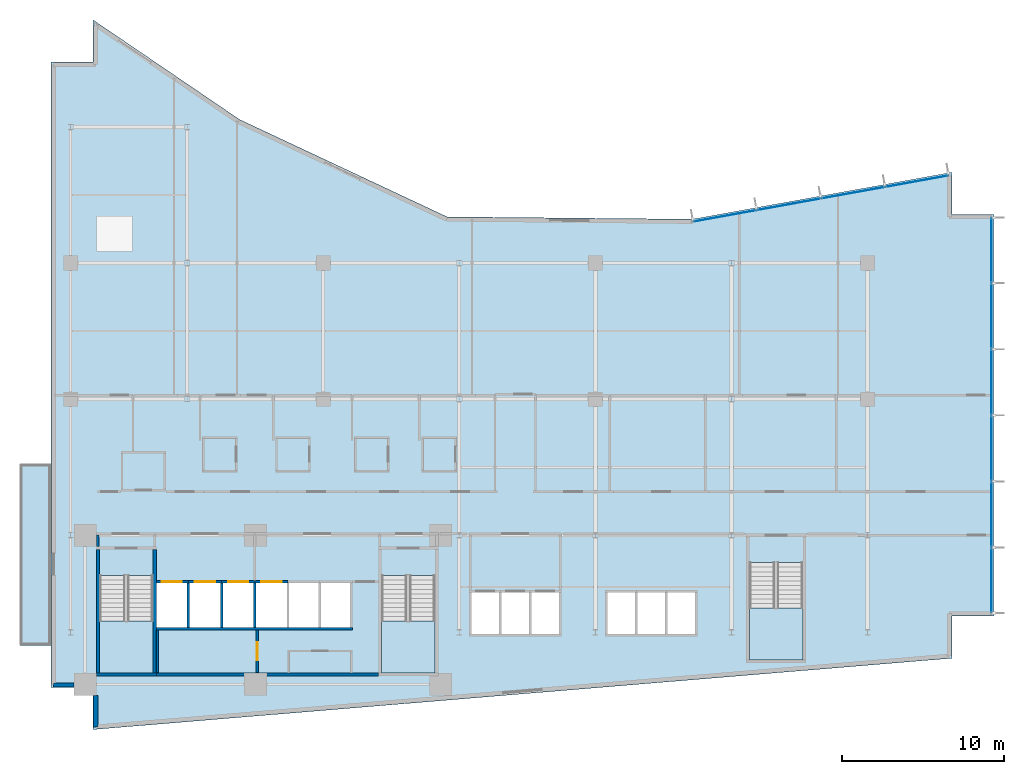
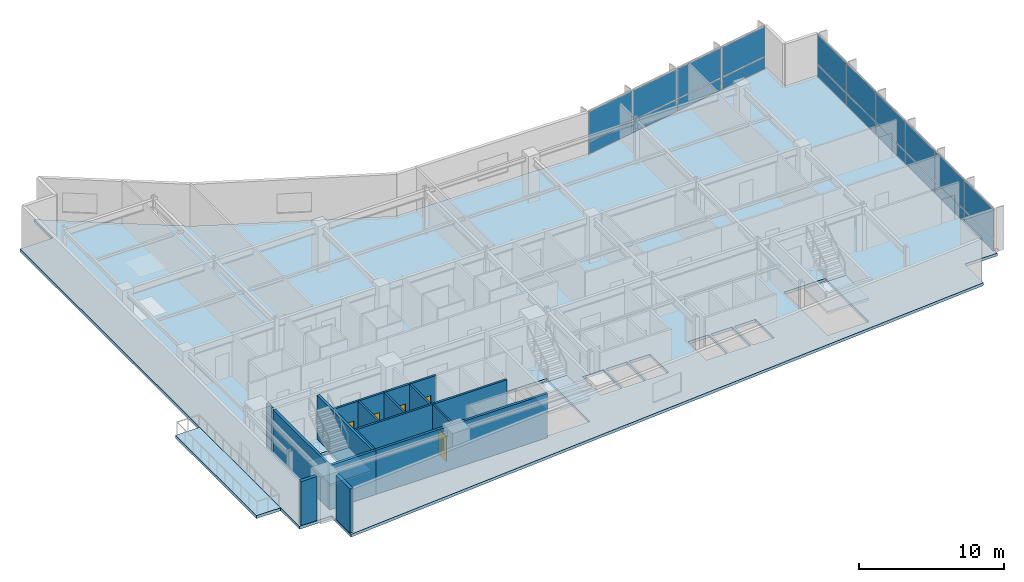
# One storey, part 12 of 21: 20 plates, 17 walls, 5 doors, 5 slabs, 5 openings, 5 elements without a shape of their own.
"""IFC4 building model written with IfcOpenShell, lengths in metres."""

from ifc_helpers import new_model, si_unit, direction, frame, frame_2d, origin, origin_2d, place, context, subcontext, project, spatial, polyline, rectangle, outline, extrude, material, layer, layer_set, type_object, element, fill, aggregate, save


model = new_model("IFC4")

# Units and contexts
model_context = context("Model", 3, precision=1e-05, world=origin(), true_north=direction((0.0, 1.0)))
body_context = subcontext(model_context, "Body", "Model", "MODEL_VIEW")
ifc_project = project(units=[si_unit("LENGTHUNIT", "METRE"), si_unit("AREAUNIT", "SQUARE_METRE"), si_unit("VOLUMEUNIT", "CUBIC_METRE"), si_unit("PLANEANGLEUNIT", "RADIAN"), si_unit("MASSUNIT", "GRAM", prefix="KILO")], contexts=[model_context])

# Site, building, storey
site_placement = place(None, origin())
site = spatial("IfcSite", under=ifc_project, at=site_placement, CompositionType="ELEMENT")
building_placement = place(site_placement, origin())
building = spatial("IfcBuilding", under=site, at=building_placement, Name="Varnakote Quay Hospital", CompositionType="ELEMENT")
storey_placement = place(building_placement, frame((0.0, 0.0, 77.800048828125)))
storey = spatial("IfcBuildingStorey", under=building, at=storey_placement, Name="L19", CompositionType="ELEMENT", Elevation=77.800048828125)

# Curtain wall, plates
ifc_material_1 = material(Name="Anodised aluminium 6063-T6 Bronze", Category="aluminium")
ifc_layer_1 = layer(ifc_material_1, 0.18994140625)
ifc_layer_set_1 = layer_set([ifc_layer_1], Name="Anodised aluminium 6063-T6 Bronze")
curtain_wall_type = type_object("IfcCurtainWallType", Name="CW-SYS-2", PredefinedType="NOTDEFINED", material=ifc_layer_set_1)
curtain_wall_1_placement = place(storey_placement, origin())
curtain_wall_1 = element("IfcCurtainWall", 1, at=curtain_wall_1_placement, inside=storey, type_object=curtain_wall_type, Name="L19 Unitised Bronze Curtain Wall 1", PredefinedType="NOTDEFINED")
ifc_material_2 = material(Name="Double-glazed acoustic laminated glass", Category="glass")
ifc_layer_2 = layer(ifc_material_2, 0.031982421875)
ifc_layer_set_2 = layer_set([ifc_layer_2], Name="Double-glazed acoustic laminated glass")
plate_type = type_object("IfcPlateType", Name="CW-PNL-GLZ-32", PredefinedType="CURTAIN_PANEL", material=ifc_layer_set_2)
plate_1_placement = place(storey_placement, frame((58.0400390625, 9.21875, 0.07470703125), z_axis=(0.0, 0.0, 1.0), x_axis=(0.0, 1.0, 0.0)))
plate_1 = element("IfcPlate", 2, at=plate_1_placement, type_object=plate_type, Name="-2-L19-1 panel 1.1", PredefinedType="CURTAIN_PANEL", context=body_context, shape_type="SweptSolid", body=[
    extrude(rectangle(XDim=3.967529296875, YDim=0.031982421875, at=origin_2d()), origin(), (0.0, 0.0, 1.0), 0.987548828125),
])
plate_2_placement = place(storey_placement, frame((58.0400390625, 9.21875, 1.137451171875), z_axis=(0.0, 0.0, 1.0), x_axis=(0.0, 1.0, 0.0)))
plate_2 = element("IfcPlate", 3, at=plate_2_placement, type_object=plate_type, Name="-2-L19-1 panel 1.2", PredefinedType="CURTAIN_PANEL", context=body_context, shape_type="SweptSolid", body=[
    extrude(rectangle(XDim=3.967529296875, YDim=0.031982421875, at=origin_2d()), origin(), (0.0, 0.0, 1.0), 2.49755859375),
])
plate_3_placement = place(storey_placement, frame((58.0400390625, 13.280029296875, 0.07470703125), z_axis=(0.0, 0.0, 1.0), x_axis=(0.0, 1.0, 0.0)))
plate_3 = element("IfcPlate", 4, at=plate_3_placement, type_object=plate_type, Name="-2-L19-1 panel 2.1", PredefinedType="CURTAIN_PANEL", context=body_context, shape_type="SweptSolid", body=[
    extrude(rectangle(XDim=4.0048828125, YDim=0.031982421875, at=origin_2d()), origin(), (0.0, 0.0, 1.0), 0.987548828125),
])
plate_4_placement = place(storey_placement, frame((58.0400390625, 13.280029296875, 1.137451171875), z_axis=(0.0, 0.0, 1.0), x_axis=(0.0, 1.0, 0.0)))
plate_4 = element("IfcPlate", 5, at=plate_4_placement, type_object=plate_type, Name="-2-L19-1 panel 2.2", PredefinedType="CURTAIN_PANEL", context=body_context, shape_type="SweptSolid", body=[
    extrude(rectangle(XDim=4.0048828125, YDim=0.031982421875, at=origin_2d()), origin(), (0.0, 0.0, 1.0), 2.49755859375),
])
plate_5_placement = place(storey_placement, frame((58.0400390625, 17.360107421875, 0.07470703125), z_axis=(0.0, 0.0, 1.0), x_axis=(0.0, 1.0, 0.0)))
plate_5 = element("IfcPlate", 6, at=plate_5_placement, type_object=plate_type, Name="-2-L19-1 panel 3.1", PredefinedType="CURTAIN_PANEL", context=body_context, shape_type="SweptSolid", body=[
    extrude(rectangle(XDim=4.0048828125, YDim=0.031982421875, at=origin_2d()), origin(), (0.0, 0.0, 1.0), 0.987548828125),
])
plate_6_placement = place(storey_placement, frame((58.0400390625, 17.360107421875, 1.137451171875), z_axis=(0.0, 0.0, 1.0), x_axis=(0.0, 1.0, 0.0)))
plate_6 = element("IfcPlate", 7, at=plate_6_placement, type_object=plate_type, Name="-2-L19-1 panel 3.2", PredefinedType="CURTAIN_PANEL", context=body_context, shape_type="SweptSolid", body=[
    extrude(rectangle(XDim=4.0048828125, YDim=0.031982421875, at=origin_2d()), origin(), (0.0, 0.0, 1.0), 2.49755859375),
])
plate_7_placement = place(storey_placement, frame((58.0400390625, 21.43994140625, 0.07470703125), z_axis=(0.0, 0.0, 1.0), x_axis=(0.0, 1.0, 0.0)))
plate_7 = element("IfcPlate", 8, at=plate_7_placement, type_object=plate_type, Name="-2-L19-1 panel 4.1", PredefinedType="CURTAIN_PANEL", context=body_context, shape_type="SweptSolid", body=[
    extrude(rectangle(XDim=4.0048828125, YDim=0.031982421875, at=origin_2d()), origin(), (0.0, 0.0, 1.0), 0.987548828125),
])
plate_8_placement = place(storey_placement, frame((58.0400390625, 21.43994140625, 1.137451171875), z_axis=(0.0, 0.0, 1.0), x_axis=(0.0, 1.0, 0.0)))
plate_8 = element("IfcPlate", 9, at=plate_8_placement, type_object=plate_type, Name="-2-L19-1 panel 4.2", PredefinedType="CURTAIN_PANEL", context=body_context, shape_type="SweptSolid", body=[
    extrude(rectangle(XDim=4.0048828125, YDim=0.031982421875, at=origin_2d()), origin(), (0.0, 0.0, 1.0), 2.49755859375),
])
plate_9_placement = place(storey_placement, frame((58.0400390625, 25.52001953125, 0.07470703125), z_axis=(0.0, 0.0, 1.0), x_axis=(0.0, 1.0, 0.0)))
plate_9 = element("IfcPlate", 10, at=plate_9_placement, type_object=plate_type, Name="-2-L19-1 panel 5.1", PredefinedType="CURTAIN_PANEL", context=body_context, shape_type="SweptSolid", body=[
    extrude(rectangle(XDim=4.0048828125, YDim=0.031982421875, at=origin_2d()), origin(), (0.0, 0.0, 1.0), 0.987548828125),
])
plate_10_placement = place(storey_placement, frame((58.0400390625, 25.52001953125, 1.137451171875), z_axis=(0.0, 0.0, 1.0), x_axis=(0.0, 1.0, 0.0)))
plate_10 = element("IfcPlate", 11, at=plate_10_placement, type_object=plate_type, Name="-2-L19-1 panel 5.2", PredefinedType="CURTAIN_PANEL", context=body_context, shape_type="SweptSolid", body=[
    extrude(rectangle(XDim=4.0048828125, YDim=0.031982421875, at=origin_2d()), origin(), (0.0, 0.0, 1.0), 2.49755859375),
])
plate_11_placement = place(storey_placement, frame((58.0400390625, 29.581298828125, 0.07470703125), z_axis=(0.0, 0.0, 1.0), x_axis=(0.0, 1.0, 0.0)))
plate_11 = element("IfcPlate", 12, at=plate_11_placement, type_object=plate_type, Name="-2-L19-1 panel 6.1", PredefinedType="CURTAIN_PANEL", context=body_context, shape_type="SweptSolid", body=[
    extrude(rectangle(XDim=3.967529296875, YDim=0.031982421875, at=origin_2d()), origin(), (0.0, 0.0, 1.0), 0.987548828125),
])
plate_12_placement = place(storey_placement, frame((58.0400390625, 29.581298828125, 1.137451171875), z_axis=(0.0, 0.0, 1.0), x_axis=(0.0, 1.0, 0.0)))
plate_12 = element("IfcPlate", 13, at=plate_12_placement, type_object=plate_type, Name="-2-L19-1 panel 6.2", PredefinedType="CURTAIN_PANEL", context=body_context, shape_type="SweptSolid", body=[
    extrude(rectangle(XDim=3.967529296875, YDim=0.031982421875, at=origin_2d()), origin(), (0.0, 0.0, 1.0), 2.49755859375),
])
aggregate(curtain_wall_1, [plate_1, plate_2, plate_3, plate_4, plate_5, plate_6, plate_7, plate_8, plate_9, plate_10, plate_11, plate_12])

curtain_wall_2_placement = place(storey_placement, origin())
curtain_wall_2 = element("IfcCurtainWall", 14, at=curtain_wall_2_placement, inside=storey, type_object=curtain_wall_type, Name="L19 Unitised Bronze Curtain Wall 2", PredefinedType="NOTDEFINED")
plate_13_placement = place(storey_placement, frame((53.440185546875, 33.84716796875, 0.07470703125), z_axis=(0.0, 0.0, 1.0), x_axis=(-0.984058295766, -0.177846199098, 0.0)))
plate_13 = element("IfcPlate", 15, at=plate_13_placement, type_object=plate_type, Name="-2-L19-2 panel 1.1", PredefinedType="CURTAIN_PANEL", context=body_context, shape_type="SweptSolid", body=[
    extrude(rectangle(XDim=3.914306640625, YDim=0.031982421875, at=origin_2d()), origin(), (0.0, 0.0, 1.0), 0.987548828125),
])
plate_14_placement = place(storey_placement, frame((53.440185546875, 33.84716796875, 1.137451171875), z_axis=(0.0, 0.0, 1.0), x_axis=(-0.984058295766, -0.177846199098, 0.0)))
plate_14 = element("IfcPlate", 16, at=plate_14_placement, type_object=plate_type, Name="-2-L19-2 panel 1.2", PredefinedType="CURTAIN_PANEL", context=body_context, shape_type="SweptSolid", body=[
    extrude(rectangle(XDim=3.914306640625, YDim=0.031982421875, at=origin_2d()), origin(), (0.0, 0.0, 1.0), 2.49755859375),
])
plate_15_placement = place(storey_placement, frame((49.49609375, 33.13427734375, 0.07470703125), z_axis=(0.0, 0.0, 1.0), x_axis=(-0.984058295766, -0.177846199098, 0.0)))
plate_15 = element("IfcPlate", 17, at=plate_15_placement, type_object=plate_type, Name="-2-L19-2 panel 2.1", PredefinedType="CURTAIN_PANEL", context=body_context, shape_type="SweptSolid", body=[
    extrude(rectangle(XDim=3.951904296875, YDim=0.031982421875, at=origin_2d()), origin(), (0.0, 0.0, 1.0), 0.987548828125),
])
plate_16_placement = place(storey_placement, frame((49.49609375, 33.13427734375, 1.137451171875), z_axis=(0.0, 0.0, 1.0), x_axis=(-0.984058295766, -0.177846199098, 0.0)))
plate_16 = element("IfcPlate", 18, at=plate_16_placement, type_object=plate_type, Name="-2-L19-2 panel 2.2", PredefinedType="CURTAIN_PANEL", context=body_context, shape_type="SweptSolid", body=[
    extrude(rectangle(XDim=3.951904296875, YDim=0.031982421875, at=origin_2d()), origin(), (0.0, 0.0, 1.0), 2.49755859375),
])
plate_17_placement = place(storey_placement, frame((45.533447265625, 32.418212890625, 0.07470703125), z_axis=(0.0, 0.0, 1.0), x_axis=(-0.984058295766, -0.177846199098, 0.0)))
plate_17 = element("IfcPlate", 19, at=plate_17_placement, type_object=plate_type, Name="-2-L19-2 panel 3.1", PredefinedType="CURTAIN_PANEL", context=body_context, shape_type="SweptSolid", body=[
    extrude(rectangle(XDim=3.951904296875, YDim=0.031982421875, at=origin_2d()), origin(), (0.0, 0.0, 1.0), 0.987548828125),
])
plate_18_placement = place(storey_placement, frame((45.533447265625, 32.418212890625, 1.137451171875), z_axis=(0.0, 0.0, 1.0), x_axis=(-0.984058295766, -0.177846199098, 0.0)))
plate_18 = element("IfcPlate", 20, at=plate_18_placement, type_object=plate_type, Name="-2-L19-2 panel 3.2", PredefinedType="CURTAIN_PANEL", context=body_context, shape_type="SweptSolid", body=[
    extrude(rectangle(XDim=3.951904296875, YDim=0.031982421875, at=origin_2d()), origin(), (0.0, 0.0, 1.0), 2.49755859375),
])
plate_19_placement = place(storey_placement, frame((41.58935546875, 31.705322265625, 0.07470703125), z_axis=(0.0, 0.0, 1.0), x_axis=(-0.984058295766, -0.177846199098, 0.0)))
plate_19 = element("IfcPlate", 21, at=plate_19_placement, type_object=plate_type, Name="-2-L19-2 panel 4.1", PredefinedType="CURTAIN_PANEL", context=body_context, shape_type="SweptSolid", body=[
    extrude(rectangle(XDim=3.914306640625, YDim=0.031982421875, at=origin_2d()), origin(), (0.0, 0.0, 1.0), 0.987548828125),
])
plate_20_placement = place(storey_placement, frame((41.58935546875, 31.705322265625, 1.137451171875), z_axis=(0.0, 0.0, 1.0), x_axis=(-0.984058295766, -0.177846199098, 0.0)))
plate_20 = element("IfcPlate", 22, at=plate_20_placement, type_object=plate_type, Name="-2-L19-2 panel 4.2", PredefinedType="CURTAIN_PANEL", context=body_context, shape_type="SweptSolid", body=[
    extrude(rectangle(XDim=3.914306640625, YDim=0.031982421875, at=origin_2d()), origin(), (0.0, 0.0, 1.0), 2.49755859375),
])
aggregate(curtain_wall_2, [plate_13, plate_14, plate_15, plate_16, plate_17, plate_18, plate_19, plate_20])

# Stair, slab
ifc_material_3 = material(Name="Concrete N40 (f'c 40 MPa)", Category="concrete")
stair_type = type_object("IfcStairType", Name="STR-CORE-1580", PredefinedType="HALF_TURN_STAIR", material=ifc_material_3)
stair_1_placement = place(storey_placement, origin())
stair_1 = element("IfcStair", 23, at=stair_1_placement, inside=storey, type_object=stair_type, Name="L19 Fire-Isolated Exit Stair ST-01", PredefinedType="HALF_TURN_STAIR")
ifc_material_4 = material(Name="Concrete N40 (f'c 40 MPa)", Category="concrete")
ifc_layer_3 = layer(ifc_material_4, 0.199951171875)
ifc_layer_set_3 = layer_set([ifc_layer_3], Name="Concrete N40 (f'c 40 MPa)")
slab_type_1 = type_object("IfcSlabType", Name="SLB-STAIR-LND-200", PredefinedType="LANDING", material=ifc_layer_set_3)
slab_1_placement = place(storey_placement, frame((0.0, 0.0, 1.77490234375)))
slab_1 = element("IfcSlab", 24, at=slab_1_placement, type_object=slab_type_1, Name="ST-01 landing 1", PredefinedType="LANDING", context=body_context, shape_type="SweptSolid", body=[
    extrude(outline(polyline([(3.0, 6.699951171875), (3.0, 3.5), (6.300048828125, 3.5), (6.300048828125, 6.699951171875), (3.0, 6.699951171875)])), origin(), (0.0, 0.0, 1.0), 0.199951171875),
])
aggregate(stair_1, [slab_1])

stair_2_placement = place(storey_placement, origin())
stair_2 = element("IfcStair", 25, at=stair_2_placement, inside=storey, type_object=stair_type, Name="L19 Fire-Isolated Exit Stair ST-02", PredefinedType="HALF_TURN_STAIR")
slab_2_placement = place(storey_placement, frame((0.0, 0.0, 1.77490234375)))
slab_2 = element("IfcSlab", 26, at=slab_2_placement, type_object=slab_type_1, Name="ST-02 landing 1", PredefinedType="LANDING", context=body_context, shape_type="SweptSolid", body=[
    extrude(outline(polyline([(20.39990234375, 6.699951171875), (20.39990234375, 3.5), (23.699951171875, 3.5), (23.699951171875, 6.699951171875), (20.39990234375, 6.699951171875)])), origin(), (0.0, 0.0, 1.0), 0.199951171875),
])
aggregate(stair_2, [slab_2])

stair_3_placement = place(storey_placement, origin())
stair_3 = element("IfcStair", 27, at=stair_3_placement, inside=storey, type_object=stair_type, Name="L19 Fire-Isolated Exit Stair ST-03", PredefinedType="HALF_TURN_STAIR")
slab_3_placement = place(storey_placement, frame((0.0, 0.0, 1.77490234375)))
slab_3 = element("IfcSlab", 28, at=slab_3_placement, type_object=slab_type_1, Name="ST-03 landing 1", PredefinedType="LANDING", context=body_context, shape_type="SweptSolid", body=[
    extrude(outline(polyline([(43.10009765625, 7.5), (43.10009765625, 4.300048828125), (46.39990234375, 4.300048828125), (46.39990234375, 7.5), (43.10009765625, 7.5)])), origin(), (0.0, 0.0, 1.0), 0.199951171875),
])
aggregate(stair_3, [slab_3])

# Slabs
ifc_material_5 = material(Name="Concrete N50 (f'c 50 MPa)", Category="concrete")
ifc_layer_4 = layer(ifc_material_5, 0.239990234375)
ifc_layer_set_4 = layer_set([ifc_layer_4], Name="Concrete N50 (f'c 50 MPa)")
slab_type_2 = type_object("IfcSlabType", Name="SLB-TERR-200", PredefinedType="FLOOR", material=ifc_layer_set_4)
slab_4_placement = place(storey_placement, frame((0.0, 0.0, -0.239990234375)))
element("IfcSlab", 29, at=slab_4_placement, inside=storey, type_object=slab_type_2, Name="L19 Waterfront Healing Terrace Slab", PredefinedType="FLOOR", context=body_context, shape_type="SweptSolid", body=[
    extrude(outline(polyline([(0.00390625, 5.199951171875), (0.00390625, 16.39990234375), (-1.919921875, 16.39990234375), (-1.919921875, 5.199951171875), (0.00390625, 5.199951171875)])), origin(), (0.0, 0.0, 1.0), 0.239990234375),
])
ifc_material_6 = material(Name="Concrete N50 (f'c 50 MPa)", Category="concrete")
ifc_layer_5 = layer(ifc_material_6, 0.239990234375)
ifc_layer_set_5 = layer_set([ifc_layer_5], Name="Concrete N50 (f'c 50 MPa)")
slab_type_3 = type_object("IfcSlabType", Name="SLB-WARD-200", PredefinedType="FLOOR", material=ifc_layer_set_5)
slab_5_placement = place(storey_placement, frame((0.0, 0.0, -0.239990234375)))
element("IfcSlab", 30, at=slab_5_placement, inside=storey, type_object=slab_type_3, Name="L19 Primary Floor Slab", PredefinedType="FLOOR", context=body_context, shape_type="SweptSolid", body=[
    extrude(outline(polyline([(0.0, 2.60009765625), (2.60009765625, 2.60009765625), (2.60009765625, 0.0), (55.60009765625, 4.39990234375), (55.60009765625, 7.0), (58.199951171875, 7.0), (58.199951171875, 31.800048828125), (55.60009765625, 31.800048828125), (55.60009765625, 34.39990234375), (39.575927734375, 31.50390625), (24.444091796875, 31.652099609375), (11.639892578125, 37.656005859375), (2.60009765625, 43.800048828125), (2.60009765625, 41.199951171875), (0.0, 41.199951171875), (0.0, 2.60009765625)]), holes=[polyline([(3.0, 3.5), (6.300048828125, 3.5), (6.300048828125, 9.49951171875), (3.0, 9.49951171875), (3.0, 3.5)]), polyline([(20.39990234375, 3.5), (23.699951171875, 3.5), (23.699951171875, 9.49951171875), (20.39990234375, 9.49951171875), (20.39990234375, 3.5)]), polyline([(43.10009765625, 4.300048828125), (46.39990234375, 4.300048828125), (46.39990234375, 10.29931640625), (43.10009765625, 10.29931640625), (43.10009765625, 4.300048828125)]), polyline([(6.5, 6.300048828125), (8.39990234375, 6.300048828125), (8.39990234375, 9.050048828125), (6.5, 9.050048828125), (6.5, 6.300048828125)]), polyline([(8.550048828125, 6.300048828125), (10.449951171875, 6.300048828125), (10.449951171875, 9.050048828125), (8.550048828125, 9.050048828125), (8.550048828125, 6.300048828125)]), polyline([(10.60009765625, 6.300048828125), (12.5, 6.300048828125), (12.5, 9.050048828125), (10.60009765625, 9.050048828125), (10.60009765625, 6.300048828125)]), polyline([(12.64990234375, 6.300048828125), (14.550048828125, 6.300048828125), (14.550048828125, 9.050048828125), (12.64990234375, 9.050048828125), (12.64990234375, 6.300048828125)]), polyline([(14.699951171875, 6.300048828125), (16.5, 6.300048828125), (16.5, 9.050048828125), (14.699951171875, 9.050048828125), (14.699951171875, 6.300048828125)]), polyline([(16.64990234375, 6.300048828125), (18.449951171875, 6.300048828125), (18.449951171875, 9.050048828125), (16.64990234375, 9.050048828125), (16.64990234375, 6.300048828125)]), polyline([(25.949951171875, 5.89990234375), (27.64990234375, 5.89990234375), (27.64990234375, 8.449951171875), (25.949951171875, 8.449951171875), (25.949951171875, 5.89990234375)]), polyline([(27.800048828125, 5.89990234375), (29.5, 5.89990234375), (29.5, 8.449951171875), (27.800048828125, 8.449951171875), (27.800048828125, 5.89990234375)]), polyline([(29.64990234375, 5.89990234375), (31.35009765625, 5.89990234375), (31.35009765625, 8.449951171875), (29.64990234375, 8.449951171875), (29.64990234375, 5.89990234375)]), polyline([(34.35009765625, 5.89990234375), (36.050048828125, 5.89990234375), (36.050048828125, 8.449951171875), (34.35009765625, 8.449951171875), (34.35009765625, 5.89990234375)]), polyline([(36.199951171875, 5.89990234375), (37.89990234375, 5.89990234375), (37.89990234375, 8.449951171875), (36.199951171875, 8.449951171875), (36.199951171875, 5.89990234375)]), polyline([(38.050048828125, 5.89990234375), (39.75, 5.89990234375), (39.75, 8.449951171875), (38.050048828125, 8.449951171875), (38.050048828125, 5.89990234375)])]), origin(), (0.0, 0.0, 1.0), 0.239990234375),
])

# Walls
ifc_material_7 = material(Name="Fire-rated acoustic gypsum stud wall", Category="gypsum")
ifc_layer_6 = layer(ifc_material_7, 0.159912109375)
ifc_layer_set_6 = layer_set([ifc_layer_6], Name="Fire-rated acoustic gypsum stud wall")
wall_type_1 = type_object("IfcWallType", Name="WL-COMP-160", PredefinedType="PARTITIONING", material=ifc_layer_set_6)
wall_1_placement = place(storey_placement, frame((2.8798828125, 11.300048828125, 0.0), z_axis=(0.0, 0.0, 1.0), x_axis=(0.0, 1.0, 0.0)))
element("IfcWall", 31, at=wall_1_placement, inside=storey, type_object=wall_type_1, Name="L19 West Stair Vestibule West Wall", PredefinedType="PARTITIONING", context=body_context, shape_type="SweptSolid", body=[
    extrude(rectangle(XDim=0.699951171875, YDim=0.159912109375, at=frame_2d((0.35009765625, 0.0))), origin(), (0.0, 0.0, 1.0), 3.7099609375),
])
ifc_material_8 = material(Name="Concrete N80 (f'c 80 MPa)", Category="concrete")
ifc_layer_7 = layer(ifc_material_8, 0.199951171875)
ifc_layer_set_7 = layer_set([ifc_layer_7], Name="Concrete N80 (f'c 80 MPa)")
wall_type_2 = type_object("IfcWallType", Name="WL-CORE-N80-200", PredefinedType="SHEAR", material=ifc_layer_set_7)
wall_2_placement = place(storey_placement, frame((6.5, 3.39990234375, 0.0), z_axis=(0.0, 0.0, 1.0), x_axis=(1.0, 0.0, 0.0)))
element("IfcWall", 32, at=wall_2_placement, inside=storey, type_object=wall_type_2, Name="L19 Rear Core South Shear Wall", PredefinedType="SHEAR", context=body_context, shape_type="SweptSolid", body=[
    extrude(rectangle(XDim=13.699951171875, YDim=0.199951171875, at=frame_2d((6.85009765625, 0.0))), origin(), (0.0, 0.0, 1.0), 3.7099609375),
])
ifc_material_9 = material(Name="Precast concrete N50 (f'c 50 MPa)", Category="concrete")
ifc_layer_8 = layer(ifc_material_9, 0.260009765625)
ifc_layer_set_8 = layer_set([ifc_layer_8], Name="Precast concrete N50 (f'c 50 MPa)")
wall_type_3 = type_object("IfcWallType", Name="WL-EXT-BRICK-260", PredefinedType="STANDARD", material=ifc_layer_set_8)
wall_3_placement = place(storey_placement, frame((2.760009765625, 2.114990234375, 0.0), z_axis=(0.0, 0.0, 1.0), x_axis=(0.0, -1.0, 0.0)))
element("IfcWall", 33, at=wall_3_placement, inside=storey, type_object=wall_type_3, Name="L19 Brick-Faced Precast Exterior Wall", PredefinedType="STANDARD", context=body_context, shape_type="SweptSolid", body=[
    extrude(rectangle(XDim=1.941162109375, YDim=0.260009765625, at=frame_2d((0.970703125, 0.0))), origin(), (0.0, 0.0, 1.0), 3.7099609375),
])
wall_4_placement = place(storey_placement, frame((0.159912109375, 2.760009765625, 0.0), z_axis=(0.0, 0.0, 1.0), x_axis=(1.0, 0.0, 0.0)))
element("IfcWall", 34, at=wall_4_placement, inside=storey, type_object=wall_type_3, Name="L19 Brick-Faced Precast Exterior Wall", PredefinedType="STANDARD", context=body_context, shape_type="SweptSolid", body=[
    extrude(rectangle(XDim=1.255126953125, YDim=0.260009765625, at=frame_2d((0.62744140625, 0.0))), origin(), (0.0, 0.0, 1.0), 3.7099609375),
])
ifc_material_10 = material(Name="Concrete N50 (f'c 50 MPa)", Category="concrete")
ifc_layer_9 = layer(ifc_material_10, 0.14990234375)
ifc_layer_set_9 = layer_set([ifc_layer_9], Name="Concrete N50 (f'c 50 MPa)")
wall_type_4 = type_object("IfcWallType", Name="WL-SHAFT-N50-150", PredefinedType="SHEAR", material=ifc_layer_set_9)
for number, where, z_axis, x_axis, name in (
    (35, (8.47509765625, 6.300048828125, 0.0), (0.0, 0.0, 1.0), (0.0, 1.0, 0.0), "L19 LF-FF1 Hoistway Divider Wall"),
    (36, (10.52490234375, 6.300048828125, 0.0), (0.0, 0.0, 1.0), (0.0, 1.0, 0.0), "L19 LF-FF2 Hoistway Divider Wall"),
    (37, (12.574951171875, 6.300048828125, 0.0), (0.0, 0.0, 1.0), (0.0, 1.0, 0.0), "L19 LF-SV1 Hoistway Divider Wall"),
):
    element("IfcWall", number, at=place(storey_placement, frame(where, z_axis=z_axis, x_axis=x_axis)), inside=storey, type_object=wall_type_4, Name=name, PredefinedType="SHEAR", context=body_context, shape_type="SweptSolid", body=[
        extrude(rectangle(XDim=2.75, YDim=0.14990234375, at=frame_2d((1.375, 0.0))), origin(), (0.0, 0.0, 1.0), 3.7099609375),
    ])
ifc_material_11 = material(Name="Concrete N50 (f'c 50 MPa)", Category="concrete")
ifc_layer_10 = layer(ifc_material_11, 0.159912109375)
ifc_layer_set_10 = layer_set([ifc_layer_10], Name="Concrete N50 (f'c 50 MPa)")
wall_type_5 = type_object("IfcWallType", Name="WL-SHAFT-N50-160", PredefinedType="SHEAR", material=ifc_layer_set_10)
wall_5_placement = place(storey_placement, frame((6.5, 6.219970703125, 0.0), z_axis=(0.0, 0.0, 1.0), x_axis=(1.0, 0.0, 0.0)))
element("IfcWall", 38, at=wall_5_placement, inside=storey, type_object=wall_type_5, Name="L19 REAR Lift Bank Back Shear Wall", PredefinedType="SHEAR", context=body_context, shape_type="SweptSolid", body=[
    extrude(rectangle(XDim=12.110107421875, YDim=0.159912109375, at=frame_2d((6.05517578125, 0.0))), origin(), (0.0, 0.0, 1.0), 3.7099609375),
])

# Wall, opening, door
wall_6_placement = place(storey_placement, frame((6.5, 9.1298828125, 0.0), z_axis=(0.0, 0.0, 1.0), x_axis=(1.0, 0.0, 0.0)))
wall_6 = element("IfcWall", 39, at=wall_6_placement, inside=storey, type_object=wall_type_5, Name="L19 LF-FF1 Hoistway Front Wall", PredefinedType="SHEAR", context=body_context, shape_type="SweptSolid", body=[
    extrude(rectangle(XDim=1.97509765625, YDim=0.159912109375, at=frame_2d((0.987548828125, 0.0))), origin(), (0.0, 0.0, 1.0), 3.7099609375),
])
opening_1_placement = place(wall_6_placement, frame((0.324951171875, 0.0, 0.0)))
opening_1 = element("IfcOpeningElement", 40, at=opening_1_placement, cuts=wall_6, Name="Opening LD-FF1-L19", PredefinedType="OPENING", context=body_context, shape_type="SweptSolid", body=[
    extrude(rectangle(XDim=1.25, YDim=2.14990234375, at=frame_2d((0.625, 1.074951171875))), frame((0.0, 0.08984375, 0.0), z_axis=(0.0, -1.0, 0.0), x_axis=(1.0, 0.0, 0.0)), (0.0, 0.0, 1.0), 0.179931640625),
])
ifc_material_12 = material(Name="Stainless steel lift landing sliding door", Category="steel")
door_type_1 = type_object("IfcDoorType", Name="DR-LIFT-LD-1250x2150", OperationType="NOTDEFINED", PredefinedType="DOOR", material=ifc_material_12)
door_1_placement = place(opening_1_placement, origin())
door_1 = element("IfcDoor", 41, at=door_1_placement, inside=storey, type_object=door_type_1, Name="L19 LF-FF1 Lift Landing Sliding Door", OperationType="SLIDING_TO_LEFT", OverallHeight=2.14990234375, OverallWidth=1.25, PredefinedType="DOOR", context=body_context, shape_type="SweptSolid", body=[
    extrude(rectangle(XDim=1.25, YDim=2.14990234375, at=frame_2d((0.625, 1.074951171875))), frame((0.0, 0.02490234375, 0.0), z_axis=(0.0, -1.0, 0.0), x_axis=(1.0, 0.0, 0.0)), (0.0, 0.0, 1.0), 0.050048828125),
])
fill(opening_1, door_1)

wall_7_placement = place(storey_placement, frame((8.47509765625, 9.1298828125, 0.0), z_axis=(0.0, 0.0, 1.0), x_axis=(1.0, 0.0, 0.0)))
wall_7 = element("IfcWall", 42, at=wall_7_placement, inside=storey, type_object=wall_type_5, Name="L19 LF-FF2 Hoistway Front Wall", PredefinedType="SHEAR", context=body_context, shape_type="SweptSolid", body=[
    extrude(rectangle(XDim=2.0498046875, YDim=0.159912109375, at=frame_2d((1.02490234375, 0.0))), origin(), (0.0, 0.0, 1.0), 3.7099609375),
])
opening_2_placement = place(wall_7_placement, frame((0.39990234375, 0.0, 0.0)))
opening_2 = element("IfcOpeningElement", 43, at=opening_2_placement, cuts=wall_7, Name="Opening LD-FF2-L19", PredefinedType="OPENING", context=body_context, shape_type="SweptSolid", body=[
    extrude(rectangle(XDim=1.25, YDim=2.14990234375, at=frame_2d((0.625, 1.074951171875))), frame((0.0, 0.08984375, 0.0), z_axis=(0.0, -1.0, 0.0), x_axis=(1.0, 0.0, 0.0)), (0.0, 0.0, 1.0), 0.179931640625),
])
door_2_placement = place(opening_2_placement, origin())
door_2 = element("IfcDoor", 44, at=door_2_placement, inside=storey, type_object=door_type_1, Name="L19 LF-FF2 Lift Landing Sliding Door", OperationType="SLIDING_TO_LEFT", OverallHeight=2.14990234375, OverallWidth=1.25, PredefinedType="DOOR", context=body_context, shape_type="SweptSolid", body=[
    extrude(rectangle(XDim=1.25, YDim=2.14990234375, at=frame_2d((0.625, 1.074951171875))), frame((0.0, 0.02490234375, 0.0), z_axis=(0.0, -1.0, 0.0), x_axis=(1.0, 0.0, 0.0)), (0.0, 0.0, 1.0), 0.050048828125),
])
fill(opening_2, door_2)

wall_8_placement = place(storey_placement, frame((10.52490234375, 9.1298828125, 0.0), z_axis=(0.0, 0.0, 1.0), x_axis=(1.0, 0.0, 0.0)))
wall_8 = element("IfcWall", 45, at=wall_8_placement, inside=storey, type_object=wall_type_5, Name="L19 LF-SV1 Hoistway Front Wall", PredefinedType="SHEAR", context=body_context, shape_type="SweptSolid", body=[
    extrude(rectangle(XDim=2.050048828125, YDim=0.159912109375, at=frame_2d((1.02490234375, 0.0))), origin(), (0.0, 0.0, 1.0), 3.7099609375),
])
opening_3_placement = place(wall_8_placement, frame((0.39990234375, 0.0, 0.0)))
opening_3 = element("IfcOpeningElement", 46, at=opening_3_placement, cuts=wall_8, Name="Opening LD-SV1-L19", PredefinedType="OPENING", context=body_context, shape_type="SweptSolid", body=[
    extrude(rectangle(XDim=1.25, YDim=2.14990234375, at=frame_2d((0.625, 1.074951171875))), frame((0.0, 0.08984375, 0.0), z_axis=(0.0, -1.0, 0.0), x_axis=(1.0, 0.0, 0.0)), (0.0, 0.0, 1.0), 0.179931640625),
])
door_3_placement = place(opening_3_placement, origin())
door_3 = element("IfcDoor", 47, at=door_3_placement, inside=storey, type_object=door_type_1, Name="L19 LF-SV1 Lift Landing Sliding Door", OperationType="SLIDING_TO_LEFT", OverallHeight=2.14990234375, OverallWidth=1.25, PredefinedType="DOOR", context=body_context, shape_type="SweptSolid", body=[
    extrude(rectangle(XDim=1.25, YDim=2.14990234375, at=frame_2d((0.625, 1.074951171875))), frame((0.0, 0.02490234375, 0.0), z_axis=(0.0, -1.0, 0.0), x_axis=(1.0, 0.0, 0.0)), (0.0, 0.0, 1.0), 0.050048828125),
])
fill(opening_3, door_3)

wall_9_placement = place(storey_placement, frame((12.574951171875, 9.1298828125, 0.0), z_axis=(0.0, 0.0, 1.0), x_axis=(1.0, 0.0, 0.0)))
wall_9 = element("IfcWall", 48, at=wall_9_placement, inside=storey, type_object=wall_type_5, Name="L19 LF-SV2 Hoistway Front Wall", PredefinedType="SHEAR", context=body_context, shape_type="SweptSolid", body=[
    extrude(rectangle(XDim=2.050048828125, YDim=0.159912109375, at=frame_2d((1.02490234375, 0.0))), origin(), (0.0, 0.0, 1.0), 3.7099609375),
])
opening_4_placement = place(wall_9_placement, frame((0.39990234375, 0.0, 0.0)))
opening_4 = element("IfcOpeningElement", 49, at=opening_4_placement, cuts=wall_9, Name="Opening LD-SV2-L19", PredefinedType="OPENING", context=body_context, shape_type="SweptSolid", body=[
    extrude(rectangle(XDim=1.25, YDim=2.14990234375, at=frame_2d((0.625, 1.074951171875))), frame((0.0, 0.08984375, 0.0), z_axis=(0.0, -1.0, 0.0), x_axis=(1.0, 0.0, 0.0)), (0.0, 0.0, 1.0), 0.179931640625),
])
door_4_placement = place(opening_4_placement, origin())
door_4 = element("IfcDoor", 50, at=door_4_placement, inside=storey, type_object=door_type_1, Name="L19 LF-SV2 Lift Landing Sliding Door", OperationType="SLIDING_TO_LEFT", OverallHeight=2.14990234375, OverallWidth=1.25, PredefinedType="DOOR", context=body_context, shape_type="SweptSolid", body=[
    extrude(rectangle(XDim=1.25, YDim=2.14990234375, at=frame_2d((0.625, 1.074951171875))), frame((0.0, 0.02490234375, 0.0), z_axis=(0.0, -1.0, 0.0), x_axis=(1.0, 0.0, 0.0)), (0.0, 0.0, 1.0), 0.050048828125),
])
fill(opening_4, door_4)

# Walls
ifc_material_13 = material(Name="Concrete N50 (f'c 50 MPa)", Category="concrete")
ifc_layer_11 = layer(ifc_material_13, 0.199951171875)
ifc_layer_set_11 = layer_set([ifc_layer_11], Name="Concrete N50 (f'c 50 MPa)")
wall_type_6 = type_object("IfcWallType", Name="WL-SHAFT-N50-200", PredefinedType="SHEAR", material=ifc_layer_set_11)
wall_10_placement = place(storey_placement, frame((2.800048828125, 3.39990234375, 0.0), z_axis=(0.0, 0.0, 1.0), x_axis=(1.0, 0.0, 0.0)))
element("IfcWall", 51, at=wall_10_placement, inside=storey, type_object=wall_type_6, Name="L19 Stair ST1 South Shaft Wall", PredefinedType="SHEAR", context=body_context, shape_type="SweptSolid", body=[
    extrude(rectangle(XDim=3.699951171875, YDim=0.199951171875, at=frame_2d((1.85009765625, 0.0))), origin(), (0.0, 0.0, 1.0), 3.7099609375),
])
for number, where, z_axis, x_axis, name in (
    (52, (2.89990234375, 3.5, 0.0), (0.0, 0.0, 1.0), (0.0, 1.0, 0.0), "L19 Stair ST1 West Shaft Wall"),
    (53, (6.39990234375, 3.5, 0.0), (0.0, 0.0, 1.0), (0.0, 1.0, 0.0), "L19 Stair ST1 East Shaft Wall"),
):
    element("IfcWall", number, at=place(storey_placement, frame(where, z_axis=z_axis, x_axis=x_axis)), inside=storey, type_object=wall_type_6, Name=name, PredefinedType="SHEAR", context=body_context, shape_type="SweptSolid", body=[
        extrude(rectangle(XDim=7.60009765625, YDim=0.199951171875, at=frame_2d((3.800048828125, 0.0))), origin(), (0.0, 0.0, 1.0), 3.7099609375),
    ])
ifc_material_14 = material(Name="Smoke-proof clinical partition", Category="gypsum")
ifc_layer_12 = layer(ifc_material_14, 0.1201171875)
ifc_layer_set_12 = layer_set([ifc_layer_12], Name="Smoke-proof clinical partition")
wall_type_7 = type_object("IfcWallType", Name="WL-SMOKE-120", PredefinedType="PARTITIONING", material=ifc_layer_set_12)
wall_11_placement = place(storey_placement, frame((6.56005859375, 3.52001953125, 0.0), z_axis=(0.0, 0.0, 1.0), x_axis=(0.0, 1.0, 0.0)))
element("IfcWall", 54, at=wall_11_placement, inside=storey, type_object=wall_type_7, Name="L19 Core West Store West Wall", PredefinedType="PARTITIONING", context=body_context, shape_type="SweptSolid", body=[
    extrude(rectangle(XDim=2.619873046875, YDim=0.1201171875, at=frame_2d((1.31005859375, 0.0))), origin(), (0.0, 0.0, 1.0), 3.7099609375),
])

# Wall, opening, door
ifc_material_15 = material(Name="Fire-rated clinical gypsum partition", Category="gypsum")
ifc_layer_13 = layer(ifc_material_15, 0.139892578125)
ifc_layer_set_13 = layer_set([ifc_layer_13], Name="Fire-rated clinical gypsum partition")
wall_type_8 = type_object("IfcWallType", Name="WL-WARD-140", PredefinedType="PARTITIONING", material=ifc_layer_set_13)
wall_12_placement = place(storey_placement, frame((12.72998046875, 3.52001953125, 0.0), z_axis=(0.0, 0.0, 1.0), x_axis=(0.0, 1.0, 0.0)))
wall_12 = element("IfcWall", 55, at=wall_12_placement, inside=storey, type_object=wall_type_8, Name="L19 Core Clean Equipment Store East Wall", PredefinedType="PARTITIONING", context=body_context, shape_type="SweptSolid", body=[
    extrude(rectangle(XDim=2.619873046875, YDim=0.139892578125, at=frame_2d((1.31005859375, 0.0))), origin(), (0.0, 0.0, 1.0), 3.7099609375),
])
opening_5_placement = place(wall_12_placement, frame((0.760009765625, 0.0, 0.0)))
opening_5 = element("IfcOpeningElement", 56, at=opening_5_placement, cuts=wall_12, Name="Opening D-L19-CR01", PredefinedType="OPENING", context=body_context, shape_type="SweptSolid", body=[
    extrude(rectangle(XDim=1.10009765625, YDim=2.10009765625, at=frame_2d((0.550048828125, 1.050048828125))), frame((0.0, 0.079833984375, 0.0), z_axis=(0.0, -1.0, 0.0), x_axis=(1.0, 0.0, 0.0)), (0.0, 0.0, 1.0), 0.159912109375),
])
ifc_material_16 = material(Name="Acoustic timber clinical consult door", Category="wood")
door_type_2 = type_object("IfcDoorType", Name="DR-CLIN-FD30S-1100x2100", OperationType="NOTDEFINED", PredefinedType="DOOR", material=ifc_material_16)
door_5_placement = place(opening_5_placement, origin())
door_5 = element("IfcDoor", 57, at=door_5_placement, inside=storey, type_object=door_type_2, Name="L19 Core Clean Equipment Store Door", OperationType="SINGLE_SWING_LEFT", OverallHeight=2.10009765625, OverallWidth=1.10009765625, PredefinedType="DOOR", context=body_context, shape_type="SweptSolid", body=[
    extrude(rectangle(XDim=1.10009765625, YDim=2.10009765625, at=frame_2d((0.550048828125, 1.050048828125))), frame((0.0, 0.02490234375, 0.0), z_axis=(0.0, -1.0, 0.0), x_axis=(1.0, 0.0, 0.0)), (0.0, 0.0, 1.0), 0.050048828125),
])
fill(opening_5, door_5)

save(model, "model.ifc")
